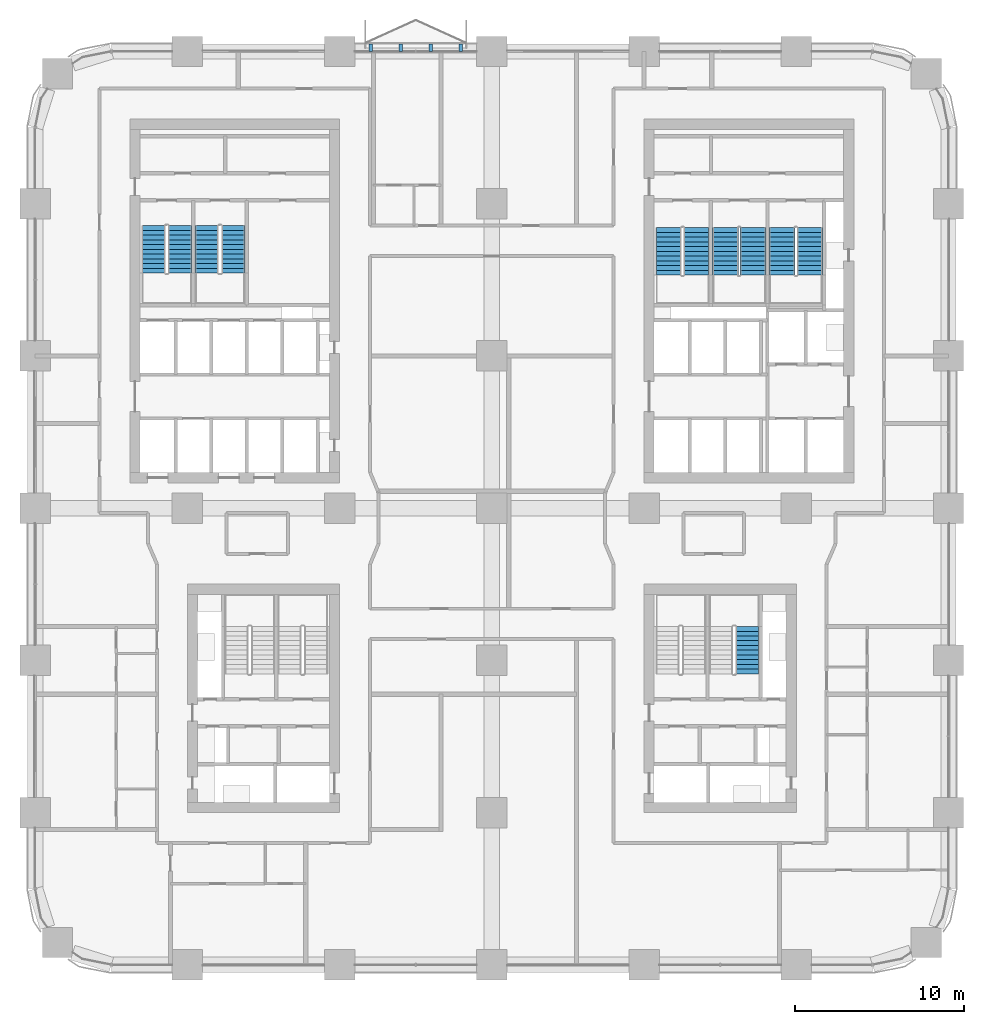
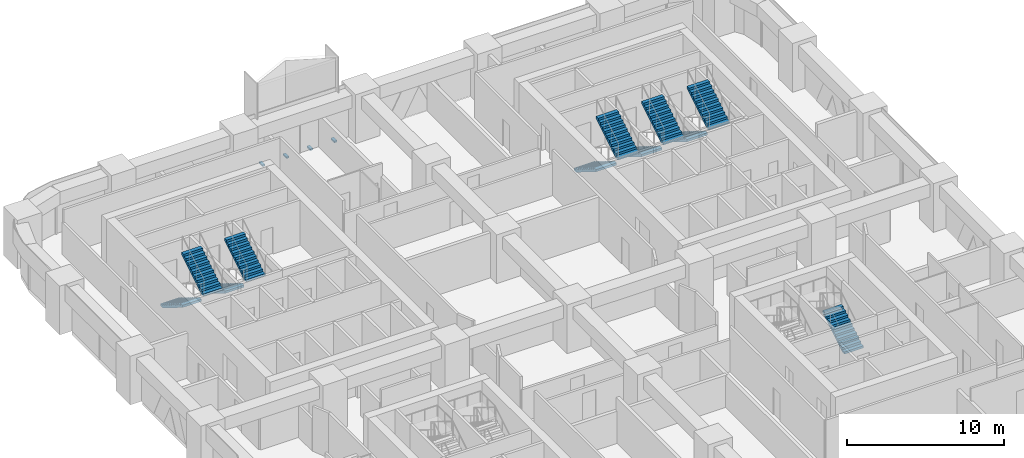
# One storey, part 20 of 23: 11 stair flights, 4 discrete accessories, 6 elements without a shape of their own.
"""IFC4 building model written with IfcOpenShell, lengths in metres."""

from ifc_helpers import new_model, si_unit, direction, frame, origin, origin_2d, place, context, subcontext, project, spatial, polyline, rectangle, outline, extrude, material, type_object, element, aggregate, save


model = new_model("IFC4")

# Units and contexts
model_context = context("Model", 3, precision=1e-05, world=origin(), true_north=direction((0.0, 1.0)))
body_context = subcontext(model_context, "Body", "Model", "MODEL_VIEW")
ifc_project = project(units=[si_unit("LENGTHUNIT", "METRE"), si_unit("AREAUNIT", "SQUARE_METRE"), si_unit("VOLUMEUNIT", "CUBIC_METRE"), si_unit("PLANEANGLEUNIT", "RADIAN"), si_unit("MASSUNIT", "GRAM", prefix="KILO")], contexts=[model_context])

# Site, building, storey
site_placement = place(None, origin())
site = spatial("IfcSite", under=ifc_project, at=site_placement, CompositionType="ELEMENT")
building_placement = place(site_placement, origin())
building = spatial("IfcBuilding", under=site, at=building_placement, Name="Tessera Arch", CompositionType="ELEMENT")
storey_placement = place(building_placement, frame((0.0, 0.0, 34.800048828125)))
storey = spatial("IfcBuildingStorey", under=building, at=storey_placement, Name="L06", CompositionType="ELEMENT", Elevation=34.800048828125)

# Stair, stair flights
ifc_material_1 = material(Name="Concrete C40/50", Category="concrete")
stair_type_1 = type_object("IfcStairType", Name="Dogleg stair 1400", PredefinedType="HALF_TURN_STAIR", material=ifc_material_1)
stair_1_placement = place(storey_placement, origin())
stair_1 = element("IfcStair", 1, at=stair_1_placement, inside=storey, type_object=stair_type_1, Name="L06 S2a", PredefinedType="HALF_TURN_STAIR")
ifc_material_2 = material(Name="Concrete C40/50", Category="concrete")
stair_flight_type_1 = type_object("IfcStairFlightType", Name="Stair flight 1400", PredefinedType="STRAIGHT", material=ifc_material_2)
stair_flight_1_placement = place(storey_placement, frame((7.0, 43.699951171875, 0.0), z_axis=(0.0, 0.0, 1.0), x_axis=(0.0, -1.0, 0.0)))
stair_flight_1 = element("IfcStairFlight", 2, at=stair_flight_1_placement, type_object=stair_flight_type_1, Name="S2a flight 1", NumberOfRisers=11, NumberOfTreads=10, PredefinedType="STRAIGHT", RiserHeight=0.172727273, TreadLength=0.28, context=body_context, shape_type="SweptSolid", body=[
    extrude(outline(polyline([(0.0, 0.0), (0.0, 0.172607421875), (0.280029296875, 0.172607421875), (0.280029296875, 0.345458984375), (0.56005859375, 0.345458984375), (0.56005859375, 0.51806640625), (0.840087890625, 0.51806640625), (0.840087890625, 0.69091796875), (1.1201171875, 0.69091796875), (1.1201171875, 0.863525390625), (1.39990234375, 0.863525390625), (1.39990234375, 1.036376953125), (1.679931640625, 1.036376953125), (1.679931640625, 1.208984375), (1.9599609375, 1.208984375), (1.9599609375, 1.3818359375), (2.239990234375, 1.3818359375), (2.239990234375, 1.554443359375), (2.52001953125, 1.554443359375), (2.52001953125, 1.727294921875), (2.800048828125, 1.727294921875), (2.800048828125, 1.89990234375), (2.800048828125, 1.551025390625), (0.285400390625, 0.0), (0.0, 0.0)])), frame((0.0, 0.699951171875, 0.0), z_axis=(0.0, -1.0, 0.0), x_axis=(1.0, 0.0, 0.0)), (0.0, 0.0, 1.0), 1.39990234375),
])
stair_flight_2_placement = place(storey_placement, frame((8.550048828125, 40.89990234375, 1.89990234375), z_axis=(0.0, 0.0, 1.0), x_axis=(0.0, 1.0, 0.0)))
stair_flight_2 = element("IfcStairFlight", 3, at=stair_flight_2_placement, type_object=stair_flight_type_1, Name="S2a flight 2", NumberOfRisers=11, NumberOfTreads=10, PredefinedType="STRAIGHT", RiserHeight=0.172727273, TreadLength=0.28, context=body_context, shape_type="SweptSolid", body=[
    extrude(outline(polyline([(0.0, 0.0), (0.0, 0.172607421875), (0.280029296875, 0.172607421875), (0.280029296875, 0.345458984375), (0.56005859375, 0.345458984375), (0.56005859375, 0.51806640625), (0.840087890625, 0.51806640625), (0.840087890625, 0.69091796875), (1.1201171875, 0.69091796875), (1.1201171875, 0.863525390625), (1.39990234375, 0.863525390625), (1.39990234375, 1.036376953125), (1.679931640625, 1.036376953125), (1.679931640625, 1.208984375), (1.9599609375, 1.208984375), (1.9599609375, 1.3818359375), (2.239990234375, 1.3818359375), (2.239990234375, 1.554443359375), (2.52001953125, 1.554443359375), (2.52001953125, 1.727294921875), (2.800048828125, 1.727294921875), (2.800048828125, 1.89990234375), (2.800048828125, 1.551025390625), (0.285400390625, 0.0), (0.0, 0.0)])), frame((0.0, 0.699951171875, 0.0), z_axis=(0.0, -1.0, 0.0), x_axis=(1.0, 0.0, 0.0)), (0.0, 0.0, 1.0), 1.39990234375),
])
aggregate(stair_1, [stair_flight_1, stair_flight_2])

stair_2_placement = place(storey_placement, origin())
stair_2 = element("IfcStair", 4, at=stair_2_placement, inside=storey, type_object=stair_type_1, Name="L06 S2b", PredefinedType="HALF_TURN_STAIR")
stair_flight_3_placement = place(storey_placement, frame((10.14990234375, 43.699951171875, 0.0), z_axis=(0.0, 0.0, 1.0), x_axis=(0.0, -1.0, 0.0)))
stair_flight_3 = element("IfcStairFlight", 5, at=stair_flight_3_placement, type_object=stair_flight_type_1, Name="S2b flight 1", NumberOfRisers=11, NumberOfTreads=10, PredefinedType="STRAIGHT", RiserHeight=0.172727273, TreadLength=0.28, context=body_context, shape_type="SweptSolid", body=[
    extrude(outline(polyline([(0.0, 0.0), (0.0, 0.172607421875), (0.280029296875, 0.172607421875), (0.280029296875, 0.345458984375), (0.56005859375, 0.345458984375), (0.56005859375, 0.51806640625), (0.840087890625, 0.51806640625), (0.840087890625, 0.69091796875), (1.1201171875, 0.69091796875), (1.1201171875, 0.863525390625), (1.39990234375, 0.863525390625), (1.39990234375, 1.036376953125), (1.679931640625, 1.036376953125), (1.679931640625, 1.208984375), (1.9599609375, 1.208984375), (1.9599609375, 1.3818359375), (2.239990234375, 1.3818359375), (2.239990234375, 1.554443359375), (2.52001953125, 1.554443359375), (2.52001953125, 1.727294921875), (2.800048828125, 1.727294921875), (2.800048828125, 1.89990234375), (2.800048828125, 1.551025390625), (0.285400390625, 0.0), (0.0, 0.0)])), frame((0.0, 0.699951171875, 0.0), z_axis=(0.0, -1.0, 0.0), x_axis=(1.0, 0.0, 0.0)), (0.0, 0.0, 1.0), 1.39990234375),
])
stair_flight_4_placement = place(storey_placement, frame((11.699951171875, 40.89990234375, 1.89990234375), z_axis=(0.0, 0.0, 1.0), x_axis=(0.0, 1.0, 0.0)))
stair_flight_4 = element("IfcStairFlight", 6, at=stair_flight_4_placement, type_object=stair_flight_type_1, Name="S2b flight 2", NumberOfRisers=11, NumberOfTreads=10, PredefinedType="STRAIGHT", RiserHeight=0.172727273, TreadLength=0.28, context=body_context, shape_type="SweptSolid", body=[
    extrude(outline(polyline([(0.0, 0.0), (0.0, 0.172607421875), (0.280029296875, 0.172607421875), (0.280029296875, 0.345458984375), (0.56005859375, 0.345458984375), (0.56005859375, 0.51806640625), (0.840087890625, 0.51806640625), (0.840087890625, 0.69091796875), (1.1201171875, 0.69091796875), (1.1201171875, 0.863525390625), (1.39990234375, 0.863525390625), (1.39990234375, 1.036376953125), (1.679931640625, 1.036376953125), (1.679931640625, 1.208984375), (1.9599609375, 1.208984375), (1.9599609375, 1.3818359375), (2.239990234375, 1.3818359375), (2.239990234375, 1.554443359375), (2.52001953125, 1.554443359375), (2.52001953125, 1.727294921875), (2.800048828125, 1.727294921875), (2.800048828125, 1.89990234375), (2.800048828125, 1.551025390625), (0.285400390625, 0.0), (0.0, 0.0)])), frame((0.0, 0.699951171875, 0.0), z_axis=(0.0, -1.0, 0.0), x_axis=(1.0, 0.0, 0.0)), (0.0, 0.0, 1.0), 1.39990234375),
])
aggregate(stair_2, [stair_flight_3, stair_flight_4])

# Stair, stair flight
stair_3_placement = place(storey_placement, origin())
stair_3 = element("IfcStair", 7, at=stair_3_placement, inside=storey, type_object=stair_type_1, Name="L06 S3b", PredefinedType="HALF_TURN_STAIR")
stair_flight_5_placement = place(storey_placement, frame((42.10009765625, 17.199951171875, 0.0), z_axis=(0.0, 0.0, 1.0), x_axis=(0.0, 1.0, 0.0)))
stair_flight_5 = element("IfcStairFlight", 8, at=stair_flight_5_placement, type_object=stair_flight_type_1, Name="S3b flight 1", NumberOfRisers=11, NumberOfTreads=10, PredefinedType="STRAIGHT", RiserHeight=0.172727273, TreadLength=0.28, context=body_context, shape_type="SweptSolid", body=[
    extrude(outline(polyline([(0.0, 0.0), (0.0, 0.172607421875), (0.280029296875, 0.172607421875), (0.280029296875, 0.345458984375), (0.56005859375, 0.345458984375), (0.56005859375, 0.51806640625), (0.840087890625, 0.51806640625), (0.840087890625, 0.69091796875), (1.1201171875, 0.69091796875), (1.1201171875, 0.863525390625), (1.39990234375, 0.863525390625), (1.39990234375, 1.036376953125), (1.679931640625, 1.036376953125), (1.679931640625, 1.208984375), (1.9599609375, 1.208984375), (1.9599609375, 1.3818359375), (2.239990234375, 1.3818359375), (2.239990234375, 1.554443359375), (2.52001953125, 1.554443359375), (2.52001953125, 1.727294921875), (2.800048828125, 1.727294921875), (2.800048828125, 1.89990234375), (2.800048828125, 1.551025390625), (0.285400390625, 0.0), (0.0, 0.0)])), frame((0.0, 0.699951171875, 0.0), z_axis=(0.0, -1.0, 0.0), x_axis=(1.0, 0.0, 0.0)), (0.0, 0.0, 1.0), 1.39990234375),
])
aggregate(stair_3, [stair_flight_5])

# Stair, stair flights
ifc_material_3 = material(Name="Concrete C40/50", Category="concrete")
stair_type_2 = type_object("IfcStairType", Name="Dogleg stair 1520", PredefinedType="HALF_TURN_STAIR", material=ifc_material_3)
stair_4_placement = place(storey_placement, origin())
stair_4 = element("IfcStair", 9, at=stair_4_placement, inside=storey, type_object=stair_type_2, Name="L06 S1a", PredefinedType="HALF_TURN_STAIR")
ifc_material_4 = material(Name="Concrete C40/50", Category="concrete")
stair_flight_type_2 = type_object("IfcStairFlightType", Name="Stair flight 1520", PredefinedType="STRAIGHT", material=ifc_material_4)
stair_flight_6_placement = place(storey_placement, frame((37.4599609375, 43.580078125, 0.0), z_axis=(0.0, 0.0, 1.0), x_axis=(0.0, -1.0, 0.0)))
stair_flight_6 = element("IfcStairFlight", 10, at=stair_flight_6_placement, type_object=stair_flight_type_2, Name="S1a flight 1", NumberOfRisers=11, NumberOfTreads=10, PredefinedType="STRAIGHT", RiserHeight=0.172727273, TreadLength=0.28, context=body_context, shape_type="SweptSolid", body=[
    extrude(outline(polyline([(0.0, 0.0), (0.0, 0.172607421875), (0.280029296875, 0.172607421875), (0.280029296875, 0.345458984375), (0.56005859375, 0.345458984375), (0.56005859375, 0.51806640625), (0.840087890625, 0.51806640625), (0.840087890625, 0.69091796875), (1.1201171875, 0.69091796875), (1.1201171875, 0.863525390625), (1.39990234375, 0.863525390625), (1.39990234375, 1.036376953125), (1.679931640625, 1.036376953125), (1.679931640625, 1.208984375), (1.9599609375, 1.208984375), (1.9599609375, 1.3818359375), (2.239990234375, 1.3818359375), (2.239990234375, 1.554443359375), (2.52001953125, 1.554443359375), (2.52001953125, 1.727294921875), (2.800048828125, 1.727294921875), (2.800048828125, 1.89990234375), (2.800048828125, 1.551025390625), (0.285400390625, 0.0), (0.0, 0.0)])), frame((0.0, 0.760009765625, 0.0), z_axis=(0.0, -1.0, 0.0), x_axis=(1.0, 0.0, 0.0)), (0.0, 0.0, 1.0), 1.52001953125),
])
stair_flight_7_placement = place(storey_placement, frame((39.090087890625, 40.780029296875, 1.89990234375), z_axis=(0.0, 0.0, 1.0), x_axis=(0.0, 1.0, 0.0)))
stair_flight_7 = element("IfcStairFlight", 11, at=stair_flight_7_placement, type_object=stair_flight_type_2, Name="S1a flight 2", NumberOfRisers=11, NumberOfTreads=10, PredefinedType="STRAIGHT", RiserHeight=0.172727273, TreadLength=0.28, context=body_context, shape_type="SweptSolid", body=[
    extrude(outline(polyline([(0.0, 0.0), (0.0, 0.172607421875), (0.280029296875, 0.172607421875), (0.280029296875, 0.345458984375), (0.56005859375, 0.345458984375), (0.56005859375, 0.51806640625), (0.840087890625, 0.51806640625), (0.840087890625, 0.69091796875), (1.1201171875, 0.69091796875), (1.1201171875, 0.863525390625), (1.39990234375, 0.863525390625), (1.39990234375, 1.036376953125), (1.679931640625, 1.036376953125), (1.679931640625, 1.208984375), (1.9599609375, 1.208984375), (1.9599609375, 1.3818359375), (2.239990234375, 1.3818359375), (2.239990234375, 1.554443359375), (2.52001953125, 1.554443359375), (2.52001953125, 1.727294921875), (2.800048828125, 1.727294921875), (2.800048828125, 1.89990234375), (2.800048828125, 1.551025390625), (0.285400390625, 0.0), (0.0, 0.0)])), frame((0.0, 0.760009765625, 0.0), z_axis=(0.0, -1.0, 0.0), x_axis=(1.0, 0.0, 0.0)), (0.0, 0.0, 1.0), 1.52001953125),
])
aggregate(stair_4, [stair_flight_6, stair_flight_7])

stair_5_placement = place(storey_placement, origin())
stair_5 = element("IfcStair", 12, at=stair_5_placement, inside=storey, type_object=stair_type_2, Name="L06 S1b", PredefinedType="HALF_TURN_STAIR")
stair_flight_8_placement = place(storey_placement, frame((40.81005859375, 43.580078125, 0.0), z_axis=(0.0, 0.0, 1.0), x_axis=(0.0, -1.0, 0.0)))
stair_flight_8 = element("IfcStairFlight", 13, at=stair_flight_8_placement, type_object=stair_flight_type_2, Name="S1b flight 1", NumberOfRisers=11, NumberOfTreads=10, PredefinedType="STRAIGHT", RiserHeight=0.172727273, TreadLength=0.28, context=body_context, shape_type="SweptSolid", body=[
    extrude(outline(polyline([(0.0, 0.0), (0.0, 0.172607421875), (0.280029296875, 0.172607421875), (0.280029296875, 0.345458984375), (0.56005859375, 0.345458984375), (0.56005859375, 0.51806640625), (0.840087890625, 0.51806640625), (0.840087890625, 0.69091796875), (1.1201171875, 0.69091796875), (1.1201171875, 0.863525390625), (1.39990234375, 0.863525390625), (1.39990234375, 1.036376953125), (1.679931640625, 1.036376953125), (1.679931640625, 1.208984375), (1.9599609375, 1.208984375), (1.9599609375, 1.3818359375), (2.239990234375, 1.3818359375), (2.239990234375, 1.554443359375), (2.52001953125, 1.554443359375), (2.52001953125, 1.727294921875), (2.800048828125, 1.727294921875), (2.800048828125, 1.89990234375), (2.800048828125, 1.551025390625), (0.285400390625, 0.0), (0.0, 0.0)])), frame((0.0, 0.760009765625, 0.0), z_axis=(0.0, -1.0, 0.0), x_axis=(1.0, 0.0, 0.0)), (0.0, 0.0, 1.0), 1.52001953125),
])
stair_flight_9_placement = place(storey_placement, frame((42.43994140625, 40.780029296875, 1.89990234375), z_axis=(0.0, 0.0, 1.0), x_axis=(0.0, 1.0, 0.0)))
stair_flight_9 = element("IfcStairFlight", 14, at=stair_flight_9_placement, type_object=stair_flight_type_2, Name="S1b flight 2", NumberOfRisers=11, NumberOfTreads=10, PredefinedType="STRAIGHT", RiserHeight=0.172727273, TreadLength=0.28, context=body_context, shape_type="SweptSolid", body=[
    extrude(outline(polyline([(0.0, 0.0), (0.0, 0.172607421875), (0.280029296875, 0.172607421875), (0.280029296875, 0.345458984375), (0.56005859375, 0.345458984375), (0.56005859375, 0.51806640625), (0.840087890625, 0.51806640625), (0.840087890625, 0.69091796875), (1.1201171875, 0.69091796875), (1.1201171875, 0.863525390625), (1.39990234375, 0.863525390625), (1.39990234375, 1.036376953125), (1.679931640625, 1.036376953125), (1.679931640625, 1.208984375), (1.9599609375, 1.208984375), (1.9599609375, 1.3818359375), (2.239990234375, 1.3818359375), (2.239990234375, 1.554443359375), (2.52001953125, 1.554443359375), (2.52001953125, 1.727294921875), (2.800048828125, 1.727294921875), (2.800048828125, 1.89990234375), (2.800048828125, 1.551025390625), (0.285400390625, 0.0), (0.0, 0.0)])), frame((0.0, 0.760009765625, 0.0), z_axis=(0.0, -1.0, 0.0), x_axis=(1.0, 0.0, 0.0)), (0.0, 0.0, 1.0), 1.52001953125),
])
aggregate(stair_5, [stair_flight_8, stair_flight_9])

stair_6_placement = place(storey_placement, origin())
stair_6 = element("IfcStair", 15, at=stair_6_placement, inside=storey, type_object=stair_type_2, Name="L06 S1c", PredefinedType="HALF_TURN_STAIR")
stair_flight_10_placement = place(storey_placement, frame((44.159912109375, 43.580078125, 0.0), z_axis=(0.0, 0.0, 1.0), x_axis=(0.0, -1.0, 0.0)))
stair_flight_10 = element("IfcStairFlight", 16, at=stair_flight_10_placement, type_object=stair_flight_type_2, Name="S1c flight 1", NumberOfRisers=11, NumberOfTreads=10, PredefinedType="STRAIGHT", RiserHeight=0.172727273, TreadLength=0.28, context=body_context, shape_type="SweptSolid", body=[
    extrude(outline(polyline([(0.0, 0.0), (0.0, 0.172607421875), (0.280029296875, 0.172607421875), (0.280029296875, 0.345458984375), (0.56005859375, 0.345458984375), (0.56005859375, 0.51806640625), (0.840087890625, 0.51806640625), (0.840087890625, 0.69091796875), (1.1201171875, 0.69091796875), (1.1201171875, 0.863525390625), (1.39990234375, 0.863525390625), (1.39990234375, 1.036376953125), (1.679931640625, 1.036376953125), (1.679931640625, 1.208984375), (1.9599609375, 1.208984375), (1.9599609375, 1.3818359375), (2.239990234375, 1.3818359375), (2.239990234375, 1.554443359375), (2.52001953125, 1.554443359375), (2.52001953125, 1.727294921875), (2.800048828125, 1.727294921875), (2.800048828125, 1.89990234375), (2.800048828125, 1.551025390625), (0.285400390625, 0.0), (0.0, 0.0)])), frame((0.0, 0.760009765625, 0.0), z_axis=(0.0, -1.0, 0.0), x_axis=(1.0, 0.0, 0.0)), (0.0, 0.0, 1.0), 1.52001953125),
])
stair_flight_11_placement = place(storey_placement, frame((45.7900390625, 40.780029296875, 1.89990234375), z_axis=(0.0, 0.0, 1.0), x_axis=(0.0, 1.0, 0.0)))
stair_flight_11 = element("IfcStairFlight", 17, at=stair_flight_11_placement, type_object=stair_flight_type_2, Name="S1c flight 2", NumberOfRisers=11, NumberOfTreads=10, PredefinedType="STRAIGHT", RiserHeight=0.172727273, TreadLength=0.28, context=body_context, shape_type="SweptSolid", body=[
    extrude(outline(polyline([(0.0, 0.0), (0.0, 0.172607421875), (0.280029296875, 0.172607421875), (0.280029296875, 0.345458984375), (0.56005859375, 0.345458984375), (0.56005859375, 0.51806640625), (0.840087890625, 0.51806640625), (0.840087890625, 0.69091796875), (1.1201171875, 0.69091796875), (1.1201171875, 0.863525390625), (1.39990234375, 0.863525390625), (1.39990234375, 1.036376953125), (1.679931640625, 1.036376953125), (1.679931640625, 1.208984375), (1.9599609375, 1.208984375), (1.9599609375, 1.3818359375), (2.239990234375, 1.3818359375), (2.239990234375, 1.554443359375), (2.52001953125, 1.554443359375), (2.52001953125, 1.727294921875), (2.800048828125, 1.727294921875), (2.800048828125, 1.89990234375), (2.800048828125, 1.551025390625), (0.285400390625, 0.0), (0.0, 0.0)])), frame((0.0, 0.760009765625, 0.0), z_axis=(0.0, -1.0, 0.0), x_axis=(1.0, 0.0, 0.0)), (0.0, 0.0, 1.0), 1.52001953125),
])
aggregate(stair_6, [stair_flight_10, stair_flight_11])

# Discrete accessories
for number, where, z_axis, x_axis, name in (
    (18, (25.14990234375, 54.219970703125, -0.1201171875), (0.0, 0.0, 1.0), (0.0, 1.0, 0.0), "Window box bracket"),
    (19, (23.38330078125, 54.219970703125, -0.1201171875), (0.0, 0.0, 1.0), (0.0, 1.0, 0.0), "Window box bracket"),
    (20, (21.61669921875, 54.219970703125, -0.1201171875), (0.0, 0.0, 1.0), (0.0, 1.0, 0.0), "Window box bracket"),
    (21, (19.85009765625, 54.219970703125, -0.1201171875), (0.0, 0.0, 1.0), (0.0, 1.0, 0.0), "Window box bracket"),
):
    element("IfcDiscreteAccessory", number, at=place(storey_placement, frame(where, z_axis=z_axis, x_axis=x_axis)), inside=storey, Name=name, PredefinedType="BRACKET", context=body_context, shape_type="SweptSolid", body=[
        extrude(rectangle(XDim=0.43994140625, YDim=0.199951171875, at=origin_2d()), origin(), (0.0, 0.0, 1.0), 0.1201171875),
    ])

save(model, "model.ifc")
